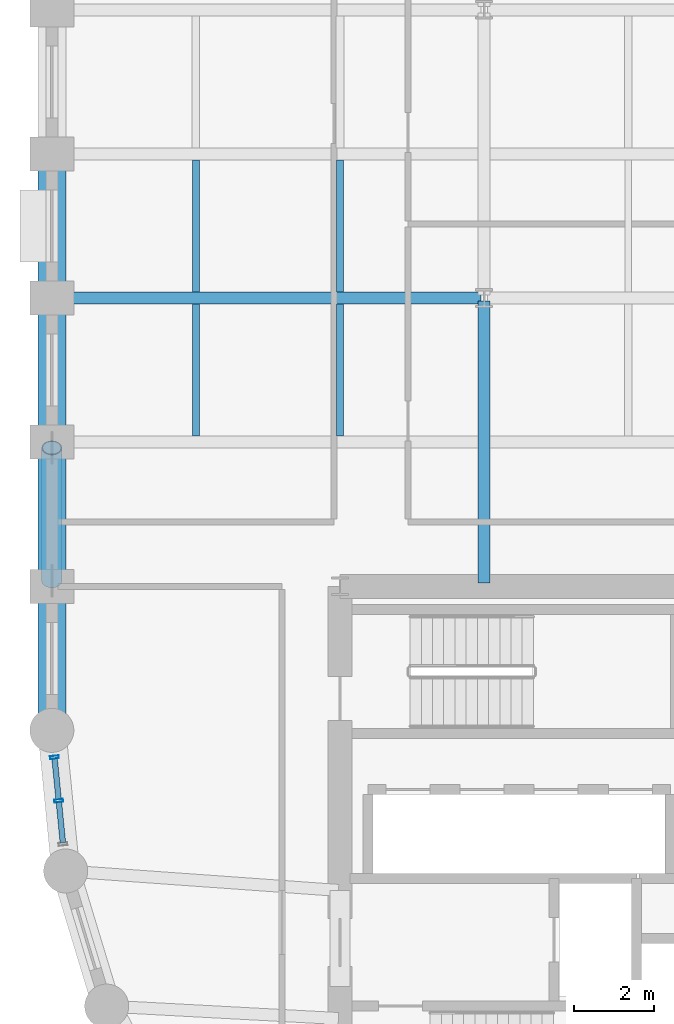
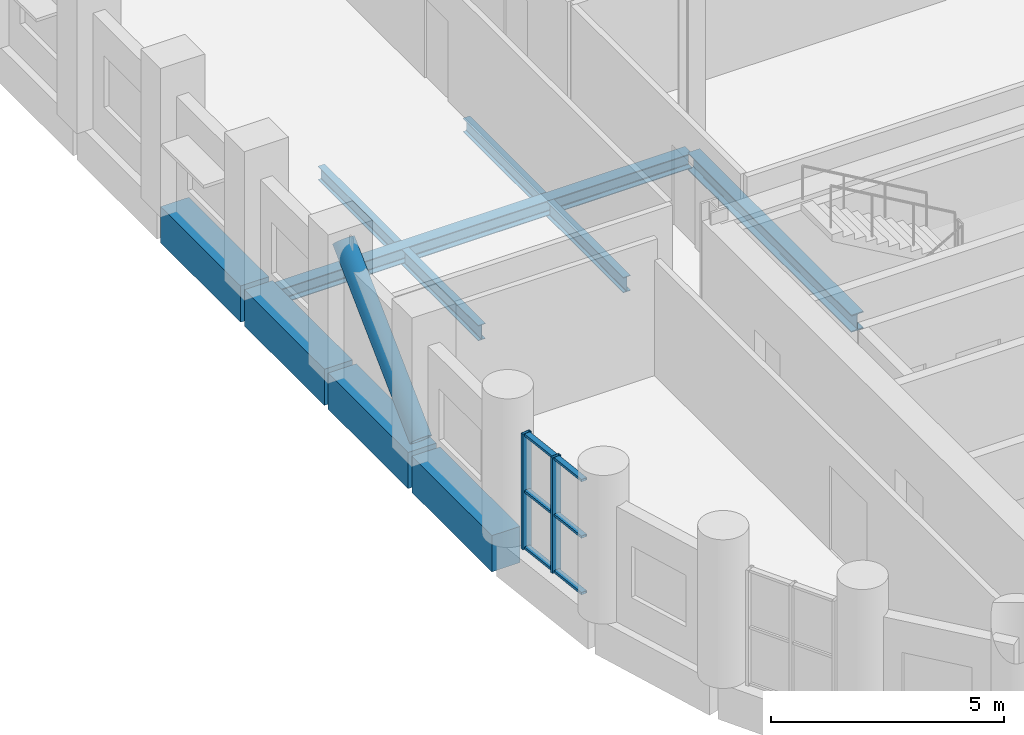
# One storey, part 5 of 13: 10 beams, 9 members, 1 element without a shape of its own.
"""IFC4 building model written with IfcOpenShell, lengths in metres."""

from ifc_helpers import new_model, si_unit, direction, frame, origin, origin_2d, place, context, subcontext, project, spatial, rectangle, hollow_rectangle, hollow_circle, i_section, extrude, material, layer, layer_set, material_profile, profile_set, type_object, element, aggregate, save


model = new_model("IFC4")

# Units and contexts
model_context = context("Model", 3, precision=1e-05, world=origin(), true_north=direction((0.0, 1.0)))
body_context = subcontext(model_context, "Body", "Model", "MODEL_VIEW")
ifc_project = project(units=[si_unit("LENGTHUNIT", "METRE"), si_unit("AREAUNIT", "SQUARE_METRE"), si_unit("VOLUMEUNIT", "CUBIC_METRE"), si_unit("PLANEANGLEUNIT", "RADIAN"), si_unit("MASSUNIT", "GRAM", prefix="KILO")], contexts=[model_context])

# Site, building, storey
site_placement = place(None, origin())
site = spatial("IfcSite", under=ifc_project, at=site_placement, CompositionType="ELEMENT")
building_placement = place(site_placement, origin())
building = spatial("IfcBuilding", under=site, at=building_placement, Name="Solnavia Interchange Tower", CompositionType="ELEMENT")
storey_placement = place(building_placement, frame((0.0, 0.0, 111.300048828125)))
storey = spatial("IfcBuildingStorey", under=building, at=storey_placement, Name="L27", CompositionType="ELEMENT", Elevation=111.300048828125)

# Beams
ifc_material_1 = material(Name="Steel S460", Category="steel")
ifc_material_profile_1 = material_profile(ifc_material_1, i_section(OverallWidth=0.300048828125, OverallDepth=0.449951171875, WebThickness=0.013916015625, FlangeThickness=0.02587890625, FilletRadius=0.027099609375, at=origin_2d()), Name="HEB 450")
ifc_profile_set_1 = profile_set([ifc_material_profile_1], Name="Steel S460")
beam_type_1 = type_object("IfcBeamType", Name="Beam-Girder-HEB450", PredefinedType="BEAM", material=ifc_profile_set_1)
beam_1_placement = place(storey_placement, frame((18.0, 25.280029296875, -0.47509765625), z_axis=(0.0, 1.0, 0.0), x_axis=(-1.0, 0.0, 0.0)))
element("IfcBeam", 1, at=beam_1_placement, inside=storey, type_object=beam_type_1, Name="GRD-L27-NS11 North wing spine girder", PredefinedType="BEAM", context=body_context, shape_type="SweptSolid", body=[
    extrude(i_section(OverallWidth=0.300048828125, OverallDepth=0.449951171875, WebThickness=0.013916015625, FlangeThickness=0.02587890625, FilletRadius=0.027099609375, at=origin_2d()), origin(), (0.0, 0.0, 1.0), 7.0400390625),
])
ifc_material_2 = material(Name="Steel S355", Category="steel")
ifc_material_profile_2 = material_profile(ifc_material_2, i_section(OverallWidth=0.169921875, OverallDepth=0.360107421875, WebThickness=0.008056640625, FlangeThickness=0.0126953125, FilletRadius=0.01806640625, at=origin_2d()), Name="IPE 360")
ifc_profile_set_2 = profile_set([ifc_material_profile_2], Name="Steel S355")
beam_type_2 = type_object("IfcBeamType", Name="Beam-Joist-IPE360", PredefinedType="JOIST", material=ifc_profile_set_2)
for number, where, z_axis, x_axis, name in (
    (2, (10.800048828125, 32.550048828125, -0.429931640625), (0.0, 1.0, 0.0), (-1.0, 0.0, 0.0), "JST-L27-N18 North wing secondary joist"),
    (3, (14.39990234375, 32.550048828125, -0.429931640625), (0.0, 1.0, 0.0), (-1.0, 0.0, 0.0), "JST-L27-N21 North wing secondary joist"),
):
    element("IfcBeam", number, at=place(storey_placement, frame(where, z_axis=z_axis, x_axis=x_axis)), inside=storey, type_object=beam_type_2, Name=name, PredefinedType="JOIST", context=body_context, shape_type="SweptSolid", body=[
        extrude(i_section(OverallWidth=0.169921875, OverallDepth=0.360107421875, WebThickness=0.008056640625, FlangeThickness=0.0126953125, FilletRadius=0.01806640625, at=origin_2d()), origin(), (0.0, 0.0, 1.0), 3.300048828125),
    ])
ifc_material_profile_3 = material_profile(ifc_material_2, i_section(OverallWidth=0.179931640625, OverallDepth=0.39990234375, WebThickness=0.008544921875, FlangeThickness=0.013427734375, FilletRadius=0.02099609375, at=origin_2d()), Name="IPE 400")
ifc_profile_set_3 = profile_set([ifc_material_profile_3], Name="Steel S355")
beam_type_3 = type_object("IfcBeamType", Name="Beam-Joist-IPE400", PredefinedType="JOIST", material=ifc_profile_set_3)
for number, where, z_axis, x_axis, name in (
    (4, (10.800048828125, 28.949951171875, -0.449951171875), (0.0, 1.0, 0.0), (-1.0, 0.0, 0.0), "JST-L27-N17 North wing secondary joist"),
    (5, (14.39990234375, 28.949951171875, -0.449951171875), (0.0, 1.0, 0.0), (-1.0, 0.0, 0.0), "JST-L27-N20 North wing secondary joist"),
):
    element("IfcBeam", number, at=place(storey_placement, frame(where, z_axis=z_axis, x_axis=x_axis)), inside=storey, type_object=beam_type_3, Name=name, PredefinedType="JOIST", context=body_context, shape_type="SweptSolid", body=[
        extrude(i_section(OverallWidth=0.179931640625, OverallDepth=0.39990234375, WebThickness=0.008544921875, FlangeThickness=0.013427734375, FilletRadius=0.02099609375, at=origin_2d()), origin(), (0.0, 0.0, 1.0), 3.300048828125),
    ])
ifc_material_profile_4 = material_profile(ifc_material_2, i_section(OverallWidth=0.300048828125, OverallDepth=0.389892578125, WebThickness=0.010986328125, FlangeThickness=0.01904296875, FilletRadius=0.027099609375, at=origin_2d()), Name="HEA 400")
ifc_profile_set_4 = profile_set([ifc_material_profile_4], Name="Steel S355")
beam_type_4 = type_object("IfcBeamType", Name="Beam-Primary-HEA400", PredefinedType="BEAM", material=ifc_profile_set_4)
beam_2_placement = place(storey_placement, frame((7.280029296875, 32.39990234375, -0.445068359375), z_axis=(1.0, 0.0, 0.0), x_axis=(0.0, 1.0, 0.0)))
element("IfcBeam", 6, at=beam_2_placement, inside=storey, type_object=beam_type_4, Name="GRD-L27-NW15 North wing primary floor girder", PredefinedType="BEAM", context=body_context, shape_type="SweptSolid", body=[
    extrude(i_section(OverallWidth=0.300048828125, OverallDepth=0.389892578125, WebThickness=0.010986328125, FlangeThickness=0.01904296875, FilletRadius=0.027099609375, at=origin_2d()), origin(), (0.0, 0.0, 1.0), 10.639892578125),
])
ifc_material_3 = material(Name="Concrete C50/60", Category="concrete")
ifc_material_profile_5 = material_profile(ifc_material_3, rectangle(XDim=0.699951171875, YDim=0.949951171875, at=origin_2d()), Name="RC 700x950")
ifc_profile_set_5 = profile_set([ifc_material_profile_5], Name="Concrete C50/60")
beam_type_5 = type_object("IfcBeamType", Name="Beam-Spandrel-RC700x950", PredefinedType="SPANDREL", material=ifc_profile_set_5)
beam_3_placement = place(storey_placement, frame((7.199951171875, 35.919921875, -0.47509765625), z_axis=(0.0, -1.0, 0.0), x_axis=(1.0, 0.0, 0.0)))
element("IfcBeam", 7, at=beam_3_placement, inside=storey, type_object=beam_type_5, Name="SPB-L27-37 Framed-tube perimeter spandrel beam", PredefinedType="SPANDREL", context=body_context, shape_type="SweptSolid", body=[
    extrude(rectangle(XDim=0.699951171875, YDim=0.949951171875, at=origin_2d()), origin(), (0.0, 0.0, 1.0), 3.43994140625),
])
beam_4_placement = place(storey_placement, frame((7.199951171875, 32.320068359375, -0.47509765625), z_axis=(0.0, -1.0, 0.0), x_axis=(1.0, 0.0, 0.0)))
element("IfcBeam", 8, at=beam_4_placement, inside=storey, type_object=beam_type_5, Name="SPB-L27-38 Framed-tube perimeter spandrel beam", PredefinedType="SPANDREL", context=body_context, shape_type="SweptSolid", body=[
    extrude(rectangle(XDim=0.699951171875, YDim=0.949951171875, at=origin_2d()), origin(), (0.0, 0.0, 1.0), 3.440185546875),
])
beam_5_placement = place(storey_placement, frame((7.199951171875, 28.719970703125, -0.47509765625), z_axis=(0.0, -1.0, 0.0), x_axis=(1.0, 0.0, 0.0)))
element("IfcBeam", 9, at=beam_5_placement, inside=storey, type_object=beam_type_5, Name="SPB-L27-39 Framed-tube perimeter spandrel beam", PredefinedType="SPANDREL", context=body_context, shape_type="SweptSolid", body=[
    extrude(rectangle(XDim=0.699951171875, YDim=0.949951171875, at=origin_2d()), origin(), (0.0, 0.0, 1.0), 3.43994140625),
])
beam_6_placement = place(storey_placement, frame((7.199951171875, 25.1201171875, -0.47509765625), z_axis=(0.0, -1.0, 0.0), x_axis=(1.0, 0.0, 0.0)))
element("IfcBeam", 10, at=beam_6_placement, inside=storey, type_object=beam_type_5, Name="SPB-L27-40 Framed-tube perimeter spandrel beam", PredefinedType="SPANDREL", context=body_context, shape_type="SweptSolid", body=[
    extrude(rectangle(XDim=0.699951171875, YDim=0.949951171875, at=origin_2d()), origin(), (0.0, 0.0, 1.0), 3.440185546875),
])

# Member
ifc_material_profile_6 = material_profile(ifc_material_1, hollow_circle(Radius=0.25390625, WallThickness=0.02490234375, at=origin_2d()), Name="CHS 508x25")
ifc_profile_set_6 = profile_set([ifc_material_profile_6], Name="Steel S460")
member_type_1 = type_object("IfcMemberType", Name="Brace-Perim-CHS508", PredefinedType="BRACE", material=ifc_profile_set_6)
member_1_placement = place(storey_placement, frame((7.199951171875, 25.340087890625, 0.179931640625), z_axis=(0.0, 0.717819644269, 0.696229099005), x_axis=(-1.0, 0.0, 0.0)))
element("IfcMember", 11, at=member_1_placement, inside=storey, type_object=member_type_1, Name="BRC-L27-02 Perimeter tube diagonal brace", PredefinedType="BRACE", context=body_context, shape_type="SweptSolid", body=[
    extrude(hollow_circle(Radius=0.25390625, WallThickness=0.02490234375, at=origin_2d()), origin(), (0.0, 0.0, 1.0), 4.624755859375),
])

# Curtain wall, members
ifc_material_4 = material(Name="Aluminium Alloy 6063-T6", Category="aluminium")
ifc_layer = layer(ifc_material_4, 0.239990234375)
ifc_layer_set = layer_set([ifc_layer], Name="Aluminium Alloy 6063-T6")
curtain_wall_type = type_object("IfcCurtainWallType", Name="CurtainWall-Drum-CTW2", PredefinedType="NOTDEFINED", material=ifc_layer_set)
curtain_wall_placement = place(storey_placement, origin())
curtain_wall = element("IfcCurtainWall", 12, at=curtain_wall_placement, inside=storey, type_object=curtain_wall_type, Name="CTW-L27-D55 CTW-2 curtain wall", PredefinedType="NOTDEFINED")
ifc_material_profile_7 = material_profile(ifc_material_4, hollow_rectangle(XDim=0.074951171875, YDim=0.219970703125, WallThickness=0.0048828125, at=origin_2d()), Name="ALU 220x75x5")
ifc_profile_set_7 = profile_set([ifc_material_profile_7], Name="Aluminium Alloy 6063-T6")
member_type_2 = type_object("IfcMemberType", Name="CW-Mullion-CWM-2", PredefinedType="MULLION", material=ifc_profile_set_7)
member_2_placement = place(storey_placement, frame((7.26611328125, 20.92822265625, 0.0), z_axis=(0.0, 0.0, 1.0), x_axis=(0.098045297616, -0.995181953019, 0.0)))
member_2 = element("IfcMember", 13, at=member_2_placement, type_object=member_type_2, Name="CTW-2 mullion 1", PredefinedType="MULLION", context=body_context, shape_type="SweptSolid", body=[
    extrude(hollow_rectangle(XDim=0.074951171875, YDim=0.219970703125, WallThickness=0.0048828125, at=origin_2d()), origin(), (0.0, 0.0, 1.0), 3.030029296875),
])
member_3_placement = place(storey_placement, frame((7.373046875, 19.843994140625, 0.0), z_axis=(0.0, 0.0, 1.0), x_axis=(0.098045297616, -0.995181953019, 0.0)))
member_3 = element("IfcMember", 14, at=member_3_placement, type_object=member_type_2, Name="CTW-2 mullion 2", PredefinedType="MULLION", context=body_context, shape_type="SweptSolid", body=[
    extrude(hollow_rectangle(XDim=0.074951171875, YDim=0.219970703125, WallThickness=0.0048828125, at=origin_2d()), origin(), (0.0, 0.0, 1.0), 3.030029296875),
])
ifc_material_profile_8 = material_profile(ifc_material_4, hollow_rectangle(XDim=0.06494140625, YDim=0.139892578125, WallThickness=0.00390625, at=origin_2d()), Name="ALU 140x65x4")
ifc_profile_set_8 = profile_set([ifc_material_profile_8], Name="Aluminium Alloy 6063-T6")
member_type_3 = type_object("IfcMemberType", Name="CW-Transom-CWT-2", PredefinedType="USERDEFINED", material=ifc_profile_set_8)
member_4_placement = place(storey_placement, frame((7.269775390625, 20.890869140625, 0.032470703125), z_axis=(0.098193057541, -0.99516738464, 0.0), x_axis=(0.0, 0.0, 1.0)))
member_4 = element("IfcMember", 15, at=member_4_placement, type_object=member_type_3, Name="CTW-2 transom 1.1", ObjectType="TRANSOM", PredefinedType="USERDEFINED", context=body_context, shape_type="SweptSolid", body=[
    extrude(hollow_rectangle(XDim=0.06494140625, YDim=0.139892578125, WallThickness=0.00390625, at=origin_2d()), origin(), (0.0, 0.0, 1.0), 1.014404296875),
])
member_5_placement = place(storey_placement, frame((7.269775390625, 20.890869140625, 1.514892578125), z_axis=(0.098193057541, -0.99516738464, 0.0), x_axis=(0.0, 0.0, 1.0)))
member_5 = element("IfcMember", 16, at=member_5_placement, type_object=member_type_3, Name="CTW-2 transom 1.2", ObjectType="TRANSOM", PredefinedType="USERDEFINED", context=body_context, shape_type="SweptSolid", body=[
    extrude(hollow_rectangle(XDim=0.06494140625, YDim=0.139892578125, WallThickness=0.00390625, at=origin_2d()), origin(), (0.0, 0.0, 1.0), 1.014404296875),
])
member_6_placement = place(storey_placement, frame((7.269775390625, 20.890869140625, 2.99755859375), z_axis=(0.098193057541, -0.99516738464, 0.0), x_axis=(0.0, 0.0, 1.0)))
member_6 = element("IfcMember", 17, at=member_6_placement, type_object=member_type_3, Name="CTW-2 transom 1.3", ObjectType="TRANSOM", PredefinedType="USERDEFINED", context=body_context, shape_type="SweptSolid", body=[
    extrude(hollow_rectangle(XDim=0.06494140625, YDim=0.139892578125, WallThickness=0.00390625, at=origin_2d()), origin(), (0.0, 0.0, 1.0), 1.014404296875),
])
member_7_placement = place(storey_placement, frame((7.376708984375, 19.806640625, 0.032470703125), z_axis=(0.097954700343, -0.995190874496, 0.0), x_axis=(0.0, 0.0, 1.0)))
member_7 = element("IfcMember", 18, at=member_7_placement, type_object=member_type_3, Name="CTW-2 transom 2.1", ObjectType="TRANSOM", PredefinedType="USERDEFINED", context=body_context, shape_type="SweptSolid", body=[
    extrude(hollow_rectangle(XDim=0.06494140625, YDim=0.139892578125, WallThickness=0.00390625, at=origin_2d()), origin(), (0.0, 0.0, 1.0), 1.014404296875),
])
member_8_placement = place(storey_placement, frame((7.376708984375, 19.806640625, 1.514892578125), z_axis=(0.097954700343, -0.995190874496, 0.0), x_axis=(0.0, 0.0, 1.0)))
member_8 = element("IfcMember", 19, at=member_8_placement, type_object=member_type_3, Name="CTW-2 transom 2.2", ObjectType="TRANSOM", PredefinedType="USERDEFINED", context=body_context, shape_type="SweptSolid", body=[
    extrude(hollow_rectangle(XDim=0.06494140625, YDim=0.139892578125, WallThickness=0.00390625, at=origin_2d()), origin(), (0.0, 0.0, 1.0), 1.014404296875),
])
member_9_placement = place(storey_placement, frame((7.376708984375, 19.806640625, 2.99755859375), z_axis=(0.097954700343, -0.995190874496, 0.0), x_axis=(0.0, 0.0, 1.0)))
member_9 = element("IfcMember", 20, at=member_9_placement, type_object=member_type_3, Name="CTW-2 transom 2.3", ObjectType="TRANSOM", PredefinedType="USERDEFINED", context=body_context, shape_type="SweptSolid", body=[
    extrude(hollow_rectangle(XDim=0.06494140625, YDim=0.139892578125, WallThickness=0.00390625, at=origin_2d()), origin(), (0.0, 0.0, 1.0), 1.014404296875),
])
aggregate(curtain_wall, [member_2, member_3, member_4, member_5, member_6, member_7, member_8, member_9])

save(model, "model.ifc")
